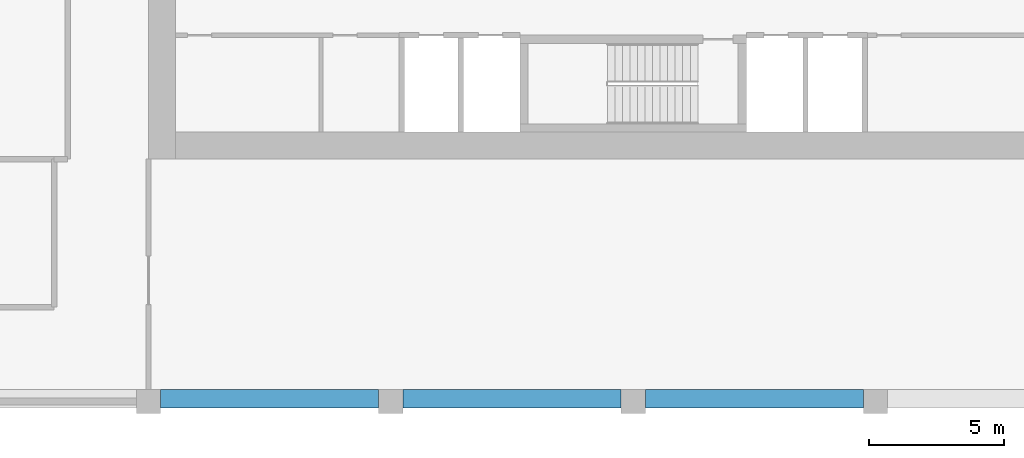
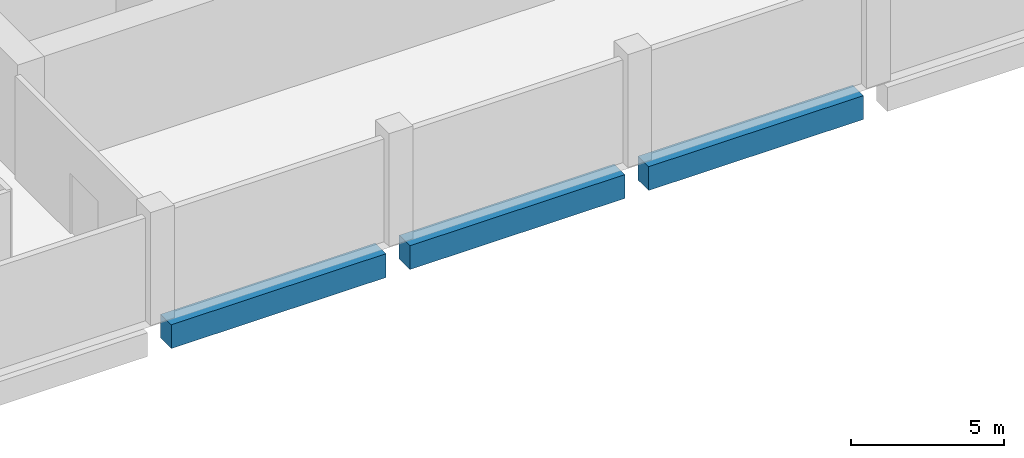
# One storey, part 5 of 22: 3 beams.
"""IFC4 building model written with IfcOpenShell, lengths in metres."""

from ifc_helpers import new_model, si_unit, direction, frame, origin, origin_2d, place, context, subcontext, project, spatial, rectangle, extrude, material, material_profile, profile_set, type_object, element, save


model = new_model("IFC4")

# Units and contexts
model_context = context("Model", 3, precision=1e-05, world=origin(), true_north=direction((0.0, 1.0)))
body_context = subcontext(model_context, "Body", "Model", "MODEL_VIEW")
ifc_project = project(units=[si_unit("LENGTHUNIT", "METRE"), si_unit("AREAUNIT", "SQUARE_METRE"), si_unit("VOLUMEUNIT", "CUBIC_METRE"), si_unit("PLANEANGLEUNIT", "RADIAN"), si_unit("MASSUNIT", "GRAM", prefix="KILO")], contexts=[model_context])

# Site, building, storey
site_placement = place(None, origin())
site = spatial("IfcSite", under=ifc_project, at=site_placement, CompositionType="ELEMENT")
building_placement = place(site_placement, origin())
building = spatial("IfcBuilding", under=site, at=building_placement, Name="Brigalow Station Residences", CompositionType="ELEMENT")
storey_placement = place(building_placement, frame((0.0, 0.0, 6.5)))
storey = spatial("IfcBuildingStorey", under=building, at=storey_placement, Name="L01", CompositionType="ELEMENT", Elevation=6.5)

# Beams
ifc_material = material(Name="Concrete C65", Category="concrete")
ifc_material_profile = material_profile(ifc_material, rectangle(XDim=0.699951171875, YDim=0.949951171875, at=origin_2d()), Name="RC700x950")
ifc_profile_set = profile_set([ifc_material_profile], Name="Concrete C65")
beam_type = type_object("IfcBeamType", Name="EDGE GIRDER 4.5 TO 9.9 M SPAN 700x950 C65", PredefinedType="BEAM", material=ifc_profile_set)
for number, where, z_axis, x_axis, name in (
    (1, (18.449951171875, -8.89990234375, -0.876953125), (1.0, 0.0, 0.0), (0.0, 1.0, 0.0), "PODIUM EDGE GIRDER S5 L01"),
    (2, (27.449951171875, -8.89990234375, -0.876953125), (1.0, 0.0, 0.0), (0.0, 1.0, 0.0), "PODIUM EDGE GIRDER S6 L01"),
    (3, (36.449951171875, -8.89990234375, -0.876953125), (1.0, 0.0, 0.0), (0.0, 1.0, 0.0), "PODIUM EDGE GIRDER S7 L01"),
):
    element("IfcBeam", number, at=place(storey_placement, frame(where, z_axis=z_axis, x_axis=x_axis)), inside=storey, type_object=beam_type, Name=name, PredefinedType="BEAM", context=body_context, shape_type="SweptSolid", body=[
        extrude(rectangle(XDim=0.699951171875, YDim=0.949951171875, at=origin_2d()), origin(), (0.0, 0.0, 1.0), 8.10009765625),
    ])

save(model, "model.ifc")
